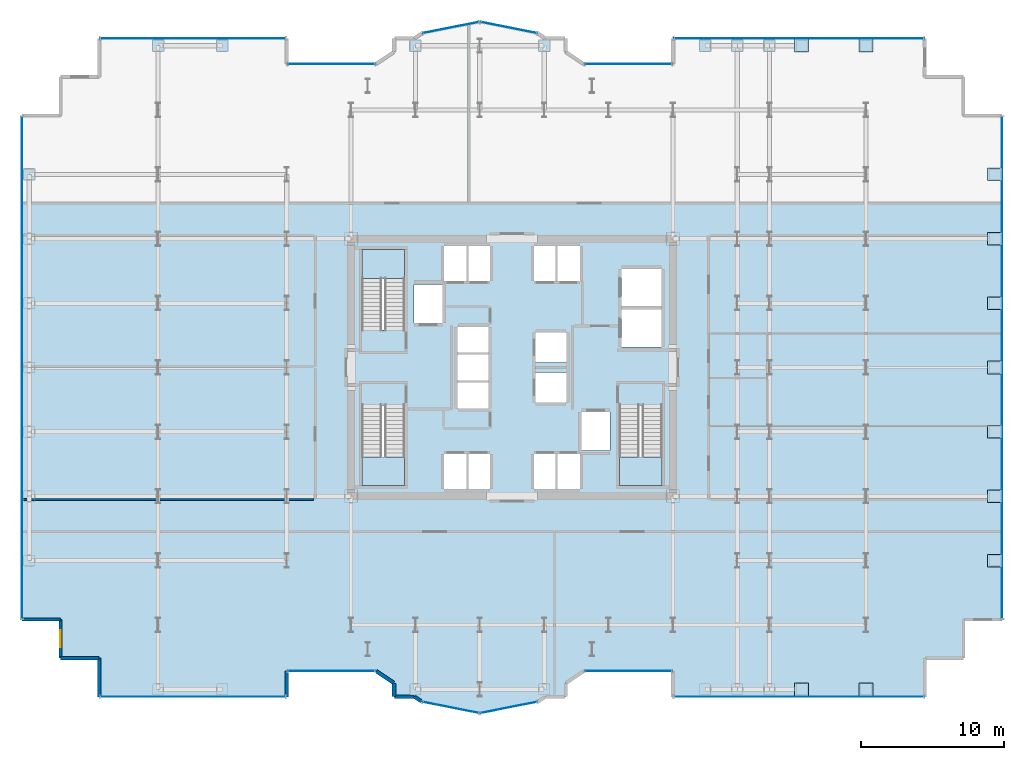
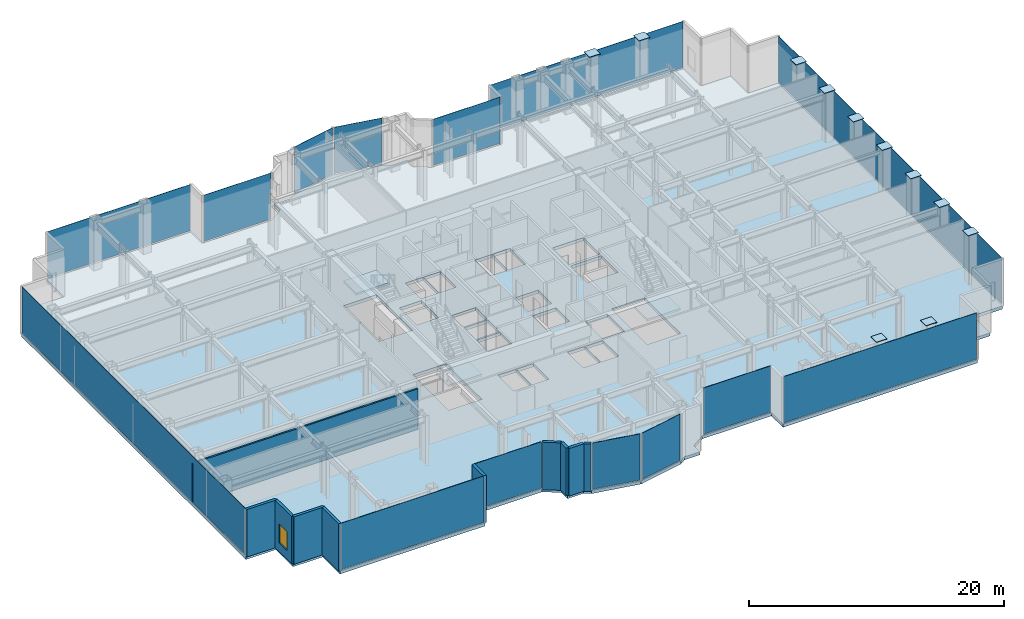
# One storey, part 19 of 27: 25 plates, 10 walls, 4 slabs, 1 window, 1 opening, 17 elements without a shape of their own.
"""IFC4 building model written with IfcOpenShell, lengths in metres."""

from ifc_helpers import new_model, si_unit, direction, frame, frame_2d, origin, origin_2d, place, context, subcontext, project, spatial, polyline, rectangle, outline, extrude, source, transform, mapped, material, layer, layer_set, type_object, element, fill, aggregate, save


model = new_model("IFC4")

# Units and contexts
model_context = context("Model", 3, precision=1e-05, world=origin(), true_north=direction((0.0, 1.0)))
body_context = subcontext(model_context, "Body", "Model", "MODEL_VIEW")
ifc_project = project(units=[si_unit("LENGTHUNIT", "METRE"), si_unit("AREAUNIT", "SQUARE_METRE"), si_unit("VOLUMEUNIT", "CUBIC_METRE"), si_unit("PLANEANGLEUNIT", "RADIAN"), si_unit("MASSUNIT", "GRAM", prefix="KILO")], contexts=[model_context])

# Site, building, storey
site_placement = place(None, origin())
site = spatial("IfcSite", under=ifc_project, at=site_placement, CompositionType="ELEMENT")
building_placement = place(site_placement, origin())
building = spatial("IfcBuilding", under=site, at=building_placement, Name="Nefas-Gora Pilgrimage Tower", CompositionType="ELEMENT")
storey_placement = place(building_placement, frame((0.0, 0.0, 144.0)))
storey = spatial("IfcBuildingStorey", under=building, at=storey_placement, Name="L35", CompositionType="ELEMENT", Elevation=144.0)

# Slab
ifc_material_1 = material(Name="Concrete C45/55", Category="concrete")
ifc_layer_1 = layer(ifc_material_1, 0.300048828125)
ifc_layer_set_1 = layer_set([ifc_layer_1], Name="Concrete C45/55")
slab_type_1 = type_object("IfcSlabType", Name="SLB-SPEC-300", PredefinedType="FLOOR", material=ifc_layer_set_1)
slab_1_placement = place(storey_placement, frame((0.0, 0.0, -0.300048828125)))
element("IfcSlab", 1, at=slab_1_placement, inside=storey, type_object=slab_type_1, Name="L35 Structural Floor Slab", PredefinedType="FLOOR", context=body_context, shape_type="SweptSolid", body=[
    extrude(outline(polyline([(5.01806640625, -21.219970703125), (11.25, -21.219970703125), (11.25, -23.02001953125), (28.8701171875, -23.02001953125), (28.8701171875, -20.320068359375), (31.570068359375, -20.320068359375), (31.570068359375, -17.6201171875), (34.27001953125, -17.6201171875), (34.27001953125, 17.6201171875), (31.570068359375, 17.6201171875), (31.570068359375, 20.320068359375), (28.8701171875, 20.320068359375), (28.8701171875, 23.02001953125), (11.25, 23.02001953125), (11.25, 21.219970703125), (5.01806640625, 21.219970703125), (3.75, 22.0673828125), (3.75, 23.02001953125), (2.32421875, 23.02001953125), (1.807373046875, 23.365234375), (-2.25, 24.17236328125), (-6.307373046875, 23.365234375), (-6.82421875, 23.02001953125), (-8.25, 23.02001953125), (-8.25, 22.0673828125), (-9.51806640625, 21.219970703125), (-15.75, 21.219970703125), (-15.75, 23.02001953125), (-28.8701171875, 23.02001953125), (-28.8701171875, 20.320068359375), (-31.570068359375, 20.320068359375), (-31.570068359375, 17.6201171875), (-34.27001953125, 17.6201171875), (-34.27001953125, -17.6201171875), (-31.570068359375, -17.6201171875), (-31.570068359375, -20.320068359375), (-28.8701171875, -20.320068359375), (-28.8701171875, -23.02001953125), (-15.75, -23.02001953125), (-15.75, -21.219970703125), (-9.51806640625, -21.219970703125), (-8.25, -22.0673828125), (-8.25, -23.02001953125), (-6.82421875, -23.02001953125), (-6.307373046875, -23.365234375), (-2.25, -24.17236328125), (1.807373046875, -23.365234375), (2.32421875, -23.02001953125), (3.75, -23.02001953125), (3.75, -22.0673828125), (5.01806640625, -21.219970703125)]), holes=[polyline([(-10.5, 2.639892578125), (-10.5, 8.25), (-7.5, 8.25), (-7.5, 2.639892578125), (-10.5, 2.639892578125)]), polyline([(10.5, -2.639892578125), (10.5, -8.25), (7.5, -8.25), (7.5, -2.639892578125), (10.5, -2.639892578125)]), polyline([(-7.5, -2.639892578125), (-7.5, -8.25), (-10.5, -8.25), (-10.5, -2.639892578125), (-7.5, -2.639892578125)]), polyline([(-6.85009765625, 5.800048828125), (-4.85009765625, 5.800048828125), (-4.85009765625, 3.10009765625), (-6.85009765625, 3.10009765625), (-6.85009765625, 5.800048828125)]), polyline([(4.85009765625, -3.10009765625), (6.85009765625, -3.10009765625), (6.85009765625, -5.800048828125), (4.85009765625, -5.800048828125), (4.85009765625, -3.10009765625)]), polyline([(7.64990234375, 4.050048828125), (10.449951171875, 4.050048828125), (10.449951171875, 1.449951171875), (7.64990234375, 1.449951171875), (7.64990234375, 4.050048828125)]), polyline([(7.64990234375, 6.89990234375), (10.449951171875, 6.89990234375), (10.449951171875, 4.300048828125), (7.64990234375, 4.300048828125), (7.64990234375, 6.89990234375)]), polyline([(-4.75, 8.5), (-3.14990234375, 8.5), (-3.14990234375, 6.050048828125), (-4.75, 6.050048828125), (-4.75, 8.5)]), polyline([(-3.10009765625, 8.5), (-1.550048828125, 8.5), (-1.550048828125, 6.050048828125), (-3.10009765625, 6.050048828125), (-3.10009765625, 8.5)]), polyline([(1.550048828125, 8.5), (3.10009765625, 8.5), (3.10009765625, 6.050048828125), (1.550048828125, 6.050048828125), (1.550048828125, 8.5)]), polyline([(3.14990234375, 8.5), (4.75, 8.5), (4.75, 6.050048828125), (3.14990234375, 6.050048828125), (3.14990234375, 8.5)]), polyline([(-4.75, -6.050048828125), (-3.14990234375, -6.050048828125), (-3.14990234375, -8.5), (-4.75, -8.5), (-4.75, -6.050048828125)]), polyline([(-3.10009765625, -6.050048828125), (-1.550048828125, -6.050048828125), (-1.550048828125, -8.5), (-3.10009765625, -8.5), (-3.10009765625, -6.050048828125)]), polyline([(1.550048828125, -6.050048828125), (3.10009765625, -6.050048828125), (3.10009765625, -8.5), (1.550048828125, -8.5), (1.550048828125, -6.050048828125)]), polyline([(3.14990234375, -6.050048828125), (4.75, -6.050048828125), (4.75, -8.5), (3.14990234375, -8.5), (3.14990234375, -6.050048828125)]), polyline([(-3.800048828125, -1.050048828125), (-1.64990234375, -1.050048828125), (-1.64990234375, -2.85009765625), (-3.800048828125, -2.85009765625), (-3.800048828125, -1.050048828125)]), polyline([(-3.800048828125, 0.89990234375), (-1.64990234375, 0.89990234375), (-1.64990234375, -0.89990234375), (-3.800048828125, -0.89990234375), (-3.800048828125, 0.89990234375)]), polyline([(-3.800048828125, 2.85009765625), (-1.64990234375, 2.85009765625), (-1.64990234375, 1.050048828125), (-3.800048828125, 1.050048828125), (-3.800048828125, 2.85009765625)]), polyline([(1.64990234375, -0.35009765625), (3.800048828125, -0.35009765625), (3.800048828125, -2.449951171875), (1.64990234375, -2.449951171875), (1.64990234375, -0.35009765625)]), polyline([(1.64990234375, 2.449951171875), (3.800048828125, 2.449951171875), (3.800048828125, 0.35009765625), (1.64990234375, 0.35009765625), (1.64990234375, 2.449951171875)])]), origin(), (0.0, 0.0, 1.0), 0.300048828125),
])

# Stair, slab
stair_type = type_object("IfcStairType", Name="STR-1400-R1714", PredefinedType="HALF_TURN_STAIR", material=ifc_material_1)
stair_1_placement = place(storey_placement, origin())
stair_1 = element("IfcStair", 2, at=stair_1_placement, inside=storey, type_object=stair_type, Name="L35 Pressurised Tower Exit Stair ST-01", PredefinedType="HALF_TURN_STAIR")
ifc_material_2 = material(Name="Concrete C40/50", Category="concrete")
ifc_layer_2 = layer(ifc_material_2, 0.199951171875)
ifc_layer_set_2 = layer_set([ifc_layer_2], Name="Concrete C40/50")
slab_type_2 = type_object("IfcSlabType", Name="STR-LAND-200", PredefinedType="LANDING", material=ifc_layer_set_2)
slab_2_placement = place(storey_placement, frame((0.0, 0.0, 2.199951171875)))
slab_2 = element("IfcSlab", 3, at=slab_2_placement, type_object=slab_type_2, Name="ST-01 landing 1", PredefinedType="LANDING", context=body_context, shape_type="SweptSolid", body=[
    extrude(outline(polyline([(-7.5, 6.239990234375), (-7.5, 8.25), (-10.5, 8.25), (-10.5, 6.239990234375), (-7.5, 6.239990234375)])), origin(), (0.0, 0.0, 1.0), 0.199951171875),
])
aggregate(stair_1, [slab_2])

stair_2_placement = place(storey_placement, origin())
stair_2 = element("IfcStair", 4, at=stair_2_placement, inside=storey, type_object=stair_type, Name="L35 Pressurised Tower Exit Stair ST-02", PredefinedType="HALF_TURN_STAIR")
slab_3_placement = place(storey_placement, frame((0.0, 0.0, 2.199951171875)))
slab_3 = element("IfcSlab", 5, at=slab_3_placement, type_object=slab_type_2, Name="ST-02 landing 1", PredefinedType="LANDING", context=body_context, shape_type="SweptSolid", body=[
    extrude(outline(polyline([(7.5, -6.239990234375), (7.5, -8.25), (10.5, -8.25), (10.5, -6.239990234375), (7.5, -6.239990234375)])), origin(), (0.0, 0.0, 1.0), 0.199951171875),
])
aggregate(stair_2, [slab_3])

stair_3_placement = place(storey_placement, origin())
stair_3 = element("IfcStair", 6, at=stair_3_placement, inside=storey, type_object=stair_type, Name="L35 Pressurised Tower Exit Stair ST-03", PredefinedType="HALF_TURN_STAIR")
slab_4_placement = place(storey_placement, frame((0.0, 0.0, 2.199951171875)))
slab_4 = element("IfcSlab", 7, at=slab_4_placement, type_object=slab_type_2, Name="ST-03 landing 1", PredefinedType="LANDING", context=body_context, shape_type="SweptSolid", body=[
    extrude(outline(polyline([(-10.5, -6.239990234375), (-10.5, -8.25), (-7.5, -8.25), (-7.5, -6.239990234375), (-10.5, -6.239990234375)])), origin(), (0.0, 0.0, 1.0), 0.199951171875),
])
aggregate(stair_3, [slab_4])

# Plates
ifc_material_3 = material(Name="Steel S460", Category="steel")
ifc_layer_3 = layer(ifc_material_3, 0.0400390625)
ifc_layer_set_3 = layer_set([ifc_layer_3], Name="Steel S460")
plate_type_1 = type_object("IfcPlateType", Name="PLT-ENDCAP-40", PredefinedType="SHEET", material=ifc_layer_set_3)
shared_shape_1 = source(origin(), body_context, "Body", "SweptSolid", [
    extrude(rectangle(XDim=0.97607421875, YDim=0.8798828125, at=origin_2d()), origin(), (0.0, 0.0, 1.0), 0.050048828125),
])
for number, where, z_axis, x_axis, name in (
    (8, (20.25, -22.5, 4.77490234375), (0.0, 0.0, 1.0), (1.0, 0.0, 0.0), "L35 Setback Hollow Column Top Cap Plate 21"),
    (9, (20.25, 22.5, 4.77490234375), (0.0, 0.0, 1.0), (1.0, 0.0, 0.0), "L35 Setback Hollow Column Top Cap Plate 22"),
    (10, (24.75, -22.5, 4.77490234375), (0.0, 0.0, 1.0), (1.0, 0.0, 0.0), "L35 Setback Hollow Column Top Cap Plate 23"),
    (11, (24.75, 22.5, 4.77490234375), (0.0, 0.0, 1.0), (1.0, 0.0, 0.0), "L35 Setback Hollow Column Top Cap Plate 24"),
    (12, (33.75, -13.5, 4.77490234375), (0.0, 0.0, 1.0), (1.0, 0.0, 0.0), "L35 Setback Hollow Column Top Cap Plate 25"),
    (13, (33.75, -9.0, 4.77490234375), (0.0, 0.0, 1.0), (1.0, 0.0, 0.0), "L35 Setback Hollow Column Top Cap Plate 26"),
    (14, (33.75, -4.5, 4.77490234375), (0.0, 0.0, 1.0), (1.0, 0.0, 0.0), "L35 Setback Hollow Column Top Cap Plate 27"),
    (15, (33.75, 0.0, 4.77490234375), (0.0, 0.0, 1.0), (1.0, 0.0, 0.0), "L35 Setback Hollow Column Top Cap Plate 28"),
    (16, (33.75, 4.5, 4.77490234375), (0.0, 0.0, 1.0), (1.0, 0.0, 0.0), "L35 Setback Hollow Column Top Cap Plate 29"),
    (17, (33.75, 9.0, 4.77490234375), (0.0, 0.0, 1.0), (1.0, 0.0, 0.0), "L35 Setback Hollow Column Top Cap Plate 30"),
    (18, (33.75, 13.5, 4.77490234375), (0.0, 0.0, 1.0), (1.0, 0.0, 0.0), "L35 Setback Hollow Column Top Cap Plate 31"),
):
    element("IfcPlate", number, at=place(storey_placement, frame(where, z_axis=z_axis, x_axis=x_axis)), inside=storey, type_object=plate_type_1, Name=name, PredefinedType="SHEET", context=body_context, shape_type="MappedRepresentation", body=[
        mapped(shared_shape_1, transform((0.0, 0.0, 0.0), x_axis=(1.0, 0.0, 0.0), y_axis=(0.0, 1.0, 0.0), z_axis=(0.0, 0.0, 1.0), scale=1.0)),
    ])

# Curtain wall, plate
ifc_material_4 = material(Name="Dark ceramic-fritted solar-control aluminium-glass curtain wall", Category="aluminium")
ifc_layer_4 = layer(ifc_material_4, 0.219970703125)
ifc_layer_set_4 = layer_set([ifc_layer_4], Name="Dark ceramic-fritted solar-control aluminium-glass curtain wall")
curtain_wall_type_1 = type_object("IfcCurtainWallType", Name="CW-SYS-5", PredefinedType="NOTDEFINED", material=ifc_layer_set_4)
curtain_wall_1_placement = place(storey_placement, origin())
curtain_wall_1 = element("IfcCurtainWall", 19, at=curtain_wall_1_placement, inside=storey, type_object=curtain_wall_type_1, Name="L35 Unitised Curtain Wall CW5", PredefinedType="NOTDEFINED")
ifc_material_5 = material(Name="Dark ceramic-printed low-e insulated glass", Category="glass")
ifc_layer_5 = layer(ifc_material_5, 0.028076171875)
ifc_layer_set_5 = layer_set([ifc_layer_5], Name="Dark ceramic-printed low-e insulated glass")
plate_type_2 = type_object("IfcPlateType", Name="CWP-PNL-5", PredefinedType="CURTAIN_PANEL", material=ifc_layer_set_5)
shared_shape_2 = source(origin(), body_context, "Body", "SweptSolid", [
    extrude(rectangle(XDim=6.052001953125, YDim=0.028076171875, at=origin_2d()), origin(), (0.0, 0.0, 1.0), 4.43994140625),
])
plate_1_placement = place(storey_placement, frame((8.134033203125, -21.219970703125, 0.10009765625), z_axis=(0.0, 0.0, 1.0), x_axis=(1.0, 0.0, 0.0)))
plate_1 = element("IfcPlate", 20, at=plate_1_placement, type_object=plate_type_2, Name="CW5 Ceramic-Fritted Glazing Panel 1", PredefinedType="CURTAIN_PANEL", context=body_context, shape_type="MappedRepresentation", body=[
    mapped(shared_shape_2, transform((0.0, 0.0, 0.0), x_axis=(1.0, 0.0, 0.0), y_axis=(0.0, 1.0, 0.0), z_axis=(0.0, 0.0, 1.0), scale=1.0)),
])
aggregate(curtain_wall_1, [plate_1])

curtain_wall_2_placement = place(storey_placement, origin())
curtain_wall_2 = element("IfcCurtainWall", 21, at=curtain_wall_2_placement, inside=storey, type_object=curtain_wall_type_1, Name="L35 Unitised Curtain Wall CW5", PredefinedType="NOTDEFINED")
plate_2_placement = place(storey_placement, frame((8.134033203125, 21.219970703125, 0.10009765625), z_axis=(0.0, 0.0, 1.0), x_axis=(-1.0, 0.0, 0.0)))
plate_2 = element("IfcPlate", 22, at=plate_2_placement, type_object=plate_type_2, Name="CW5 Ceramic-Fritted Glazing Panel 1", PredefinedType="CURTAIN_PANEL", context=body_context, shape_type="MappedRepresentation", body=[
    mapped(shared_shape_2, transform((0.0, 0.0, 0.0), x_axis=(1.0, 0.0, 0.0), y_axis=(0.0, 1.0, 0.0), z_axis=(0.0, 0.0, 1.0), scale=1.0)),
])
aggregate(curtain_wall_2, [plate_2])

curtain_wall_3_placement = place(storey_placement, origin())
curtain_wall_3 = element("IfcCurtainWall", 23, at=curtain_wall_3_placement, inside=storey, type_object=curtain_wall_type_1, Name="L35 Unitised Curtain Wall CW5", PredefinedType="NOTDEFINED")
plate_3_placement = place(storey_placement, frame((-12.634033203125, 21.219970703125, 0.10009765625), z_axis=(0.0, 0.0, 1.0), x_axis=(-1.0, 0.0, 0.0)))
plate_3 = element("IfcPlate", 24, at=plate_3_placement, type_object=plate_type_2, Name="CW5 Ceramic-Fritted Glazing Panel 1", PredefinedType="CURTAIN_PANEL", context=body_context, shape_type="MappedRepresentation", body=[
    mapped(shared_shape_2, transform((0.0, 0.0, 0.0), x_axis=(1.0, 0.0, 0.0), y_axis=(0.0, 1.0, 0.0), z_axis=(0.0, 0.0, 1.0), scale=1.0)),
])
aggregate(curtain_wall_3, [plate_3])

curtain_wall_4_placement = place(storey_placement, origin())
curtain_wall_4 = element("IfcCurtainWall", 25, at=curtain_wall_4_placement, inside=storey, type_object=curtain_wall_type_1, Name="L35 Unitised Curtain Wall CW5", PredefinedType="NOTDEFINED")
plate_4_placement = place(storey_placement, frame((-12.634033203125, -21.219970703125, 0.10009765625), z_axis=(0.0, 0.0, 1.0), x_axis=(1.0, 0.0, 0.0)))
plate_4 = element("IfcPlate", 26, at=plate_4_placement, type_object=plate_type_2, Name="CW5 Ceramic-Fritted Glazing Panel 1", PredefinedType="CURTAIN_PANEL", context=body_context, shape_type="MappedRepresentation", body=[
    mapped(shared_shape_2, transform((0.0, 0.0, 0.0), x_axis=(1.0, 0.0, 0.0), y_axis=(0.0, 1.0, 0.0), z_axis=(0.0, 0.0, 1.0), scale=1.0)),
])
aggregate(curtain_wall_4, [plate_4])

ifc_layer_6 = layer(ifc_material_4, 0.219970703125)
ifc_layer_set_6 = layer_set([ifc_layer_6], Name="Dark ceramic-fritted solar-control aluminium-glass curtain wall")
curtain_wall_type_2 = type_object("IfcCurtainWallType", Name="CW-SYS-2", PredefinedType="NOTDEFINED", material=ifc_layer_set_6)
curtain_wall_5_placement = place(storey_placement, origin())
curtain_wall_5 = element("IfcCurtainWall", 27, at=curtain_wall_5_placement, inside=storey, type_object=curtain_wall_type_2, Name="L35 Unitised Curtain Wall CW2", PredefinedType="NOTDEFINED")
ifc_layer_7 = layer(ifc_material_5, 0.031982421875)
ifc_layer_set_7 = layer_set([ifc_layer_7], Name="Dark ceramic-printed low-e insulated glass")
plate_type_3 = type_object("IfcPlateType", Name="CWP-PNL-2", PredefinedType="CURTAIN_PANEL", material=ifc_layer_set_7)
shared_shape_3 = source(origin(), body_context, "Body", "SweptSolid", [
    extrude(rectangle(XDim=17.43994140625, YDim=0.031982421875, at=origin_2d()), origin(), (0.0, 0.0, 1.0), 4.43994140625),
])
plate_5_placement = place(storey_placement, frame((20.06005859375, -23.02001953125, 0.10009765625), z_axis=(0.0, 0.0, 1.0), x_axis=(1.0, 0.0, 0.0)))
plate_5 = element("IfcPlate", 28, at=plate_5_placement, type_object=plate_type_3, Name="CW2 Ceramic-Fritted Glazing Panel 1", PredefinedType="CURTAIN_PANEL", context=body_context, shape_type="MappedRepresentation", body=[
    mapped(shared_shape_3, transform((0.0, 0.0, 0.0), x_axis=(1.0, 0.0, 0.0), y_axis=(0.0, 1.0, 0.0), z_axis=(0.0, 0.0, 1.0), scale=1.0)),
])
aggregate(curtain_wall_5, [plate_5])

curtain_wall_6_placement = place(storey_placement, origin())
curtain_wall_6 = element("IfcCurtainWall", 29, at=curtain_wall_6_placement, inside=storey, type_object=curtain_wall_type_2, Name="L35 Unitised Curtain Wall CW2", PredefinedType="NOTDEFINED")
plate_6_placement = place(storey_placement, frame((20.06005859375, 23.02001953125, 0.10009765625), z_axis=(0.0, 0.0, 1.0), x_axis=(-1.0, 0.0, 0.0)))
plate_6 = element("IfcPlate", 30, at=plate_6_placement, type_object=plate_type_3, Name="CW2 Ceramic-Fritted Glazing Panel 1", PredefinedType="CURTAIN_PANEL", context=body_context, shape_type="MappedRepresentation", body=[
    mapped(shared_shape_3, transform((0.0, 0.0, 0.0), x_axis=(1.0, 0.0, 0.0), y_axis=(0.0, 1.0, 0.0), z_axis=(0.0, 0.0, 1.0), scale=1.0)),
])
aggregate(curtain_wall_6, [plate_6])

curtain_wall_7_placement = place(storey_placement, origin())
curtain_wall_7 = element("IfcCurtainWall", 31, at=curtain_wall_7_placement, inside=storey, type_object=curtain_wall_type_2, Name="L35 Unitised Curtain Wall CW2", PredefinedType="NOTDEFINED")
shared_shape_4 = source(origin(), body_context, "Body", "SweptSolid", [
    extrude(rectangle(XDim=35.06005859375, YDim=0.031982421875, at=origin_2d()), origin(), (0.0, 0.0, 1.0), 4.43994140625),
])
plate_7_placement = place(storey_placement, frame((34.27001953125, 0.0, 0.10009765625), z_axis=(0.0, 0.0, 1.0), x_axis=(0.0, 1.0, 0.0)))
plate_7 = element("IfcPlate", 32, at=plate_7_placement, type_object=plate_type_3, Name="CW2 Ceramic-Fritted Glazing Panel 1", PredefinedType="CURTAIN_PANEL", context=body_context, shape_type="MappedRepresentation", body=[
    mapped(shared_shape_4, transform((0.0, 0.0, 0.0), x_axis=(1.0, 0.0, 0.0), y_axis=(0.0, 1.0, 0.0), z_axis=(0.0, 0.0, 1.0), scale=1.0)),
])
aggregate(curtain_wall_7, [plate_7])

curtain_wall_8_placement = place(storey_placement, origin())
curtain_wall_8 = element("IfcCurtainWall", 33, at=curtain_wall_8_placement, inside=storey, type_object=curtain_wall_type_2, Name="L35 Unitised Curtain Wall CW2", PredefinedType="NOTDEFINED")
plate_8_placement = place(storey_placement, frame((-34.27001953125, 0.0, 0.10009765625), z_axis=(0.0, 0.0, 1.0), x_axis=(0.0, -1.0, 0.0)))
plate_8 = element("IfcPlate", 34, at=plate_8_placement, type_object=plate_type_3, Name="CW2 Ceramic-Fritted Glazing Panel 1", PredefinedType="CURTAIN_PANEL", context=body_context, shape_type="MappedRepresentation", body=[
    mapped(shared_shape_4, transform((0.0, 0.0, 0.0), x_axis=(1.0, 0.0, 0.0), y_axis=(0.0, 1.0, 0.0), z_axis=(0.0, 0.0, 1.0), scale=1.0)),
])
aggregate(curtain_wall_8, [plate_8])

curtain_wall_9_placement = place(storey_placement, origin())
curtain_wall_9 = element("IfcCurtainWall", 35, at=curtain_wall_9_placement, inside=storey, type_object=curtain_wall_type_1, Name="L35 Unitised Curtain Wall CW5", PredefinedType="NOTDEFINED")
shared_shape_5 = source(origin(), body_context, "Body", "SweptSolid", [
    extrude(rectangle(XDim=3.956787109375, YDim=0.028076171875, at=origin_2d()), origin(), (0.0, 0.0, 1.0), 4.43994140625),
])
plate_9_placement = place(storey_placement, frame((-0.22119140625, 23.768798828125, 0.10009765625), z_axis=(0.0, 0.0, 1.0), x_axis=(-0.980782896852, 0.195102304554, 0.0)))
plate_9 = element("IfcPlate", 36, at=plate_9_placement, type_object=plate_type_2, Name="CW5 Ceramic-Fritted Glazing Panel 1", PredefinedType="CURTAIN_PANEL", context=body_context, shape_type="MappedRepresentation", body=[
    mapped(shared_shape_5, transform((0.0, 0.0, 0.0), x_axis=(1.0, 0.0, 0.0), y_axis=(0.0, 1.0, 0.0), z_axis=(0.0, 0.0, 1.0), scale=1.0)),
])
aggregate(curtain_wall_9, [plate_9])

curtain_wall_10_placement = place(storey_placement, origin())
curtain_wall_10 = element("IfcCurtainWall", 37, at=curtain_wall_10_placement, inside=storey, type_object=curtain_wall_type_1, Name="L35 Unitised Curtain Wall CW5", PredefinedType="NOTDEFINED")
plate_10_placement = place(storey_placement, frame((-4.278564453125, 23.768798828125, 0.10009765625), z_axis=(0.0, 0.0, 1.0), x_axis=(-0.980782896852, -0.195102304554, 0.0)))
plate_10 = element("IfcPlate", 38, at=plate_10_placement, type_object=plate_type_2, Name="CW5 Ceramic-Fritted Glazing Panel 1", PredefinedType="CURTAIN_PANEL", context=body_context, shape_type="MappedRepresentation", body=[
    mapped(shared_shape_5, transform((0.0, 0.0, 0.0), x_axis=(1.0, 0.0, 0.0), y_axis=(0.0, 1.0, 0.0), z_axis=(0.0, 0.0, 1.0), scale=1.0)),
])
aggregate(curtain_wall_10, [plate_10])

curtain_wall_11_placement = place(storey_placement, origin())
curtain_wall_11 = element("IfcCurtainWall", 39, at=curtain_wall_11_placement, inside=storey, type_object=curtain_wall_type_1, Name="L35 Unitised Curtain Wall CW5", PredefinedType="NOTDEFINED")
plate_11_placement = place(storey_placement, frame((-4.278564453125, -23.768798828125, 0.10009765625), z_axis=(0.0, 0.0, 1.0), x_axis=(0.980782896852, -0.195102304554, 0.0)))
plate_11 = element("IfcPlate", 40, at=plate_11_placement, type_object=plate_type_2, Name="CW5 Ceramic-Fritted Glazing Panel 1", PredefinedType="CURTAIN_PANEL", context=body_context, shape_type="MappedRepresentation", body=[
    mapped(shared_shape_5, transform((0.0, 0.0, 0.0), x_axis=(1.0, 0.0, 0.0), y_axis=(0.0, 1.0, 0.0), z_axis=(0.0, 0.0, 1.0), scale=1.0)),
])
aggregate(curtain_wall_11, [plate_11])

curtain_wall_12_placement = place(storey_placement, origin())
curtain_wall_12 = element("IfcCurtainWall", 41, at=curtain_wall_12_placement, inside=storey, type_object=curtain_wall_type_1, Name="L35 Unitised Curtain Wall CW5", PredefinedType="NOTDEFINED")
plate_12_placement = place(storey_placement, frame((-0.221435546875, -23.768798828125, 0.10009765625), z_axis=(0.0, 0.0, 1.0), x_axis=(0.980782896852, 0.195102304554, 0.0)))
plate_12 = element("IfcPlate", 42, at=plate_12_placement, type_object=plate_type_2, Name="CW5 Ceramic-Fritted Glazing Panel 1", PredefinedType="CURTAIN_PANEL", context=body_context, shape_type="MappedRepresentation", body=[
    mapped(shared_shape_5, transform((0.0, 0.0, 0.0), x_axis=(1.0, 0.0, 0.0), y_axis=(0.0, 1.0, 0.0), z_axis=(0.0, 0.0, 1.0), scale=1.0)),
])
aggregate(curtain_wall_12, [plate_12])

curtain_wall_13_placement = place(storey_placement, origin())
curtain_wall_13 = element("IfcCurtainWall", 43, at=curtain_wall_13_placement, inside=storey, type_object=curtain_wall_type_2, Name="L35 Unitised Curtain Wall CW2", PredefinedType="NOTDEFINED")
shared_shape_6 = source(origin(), body_context, "Body", "SweptSolid", [
    extrude(rectangle(XDim=12.93994140625, YDim=0.031982421875, at=origin_2d()), origin(), (0.0, 0.0, 1.0), 4.43994140625),
])
plate_13_placement = place(storey_placement, frame((-22.31005859375, 23.02001953125, 0.10009765625), z_axis=(0.0, 0.0, 1.0), x_axis=(-1.0, 0.0, 0.0)))
plate_13 = element("IfcPlate", 44, at=plate_13_placement, type_object=plate_type_3, Name="CW2 Ceramic-Fritted Glazing Panel 1", PredefinedType="CURTAIN_PANEL", context=body_context, shape_type="MappedRepresentation", body=[
    mapped(shared_shape_6, transform((0.0, 0.0, 0.0), x_axis=(1.0, 0.0, 0.0), y_axis=(0.0, 1.0, 0.0), z_axis=(0.0, 0.0, 1.0), scale=1.0)),
])
aggregate(curtain_wall_13, [plate_13])

curtain_wall_14_placement = place(storey_placement, origin())
curtain_wall_14 = element("IfcCurtainWall", 45, at=curtain_wall_14_placement, inside=storey, type_object=curtain_wall_type_2, Name="L35 Unitised Curtain Wall CW2", PredefinedType="NOTDEFINED")
plate_14_placement = place(storey_placement, frame((-22.31005859375, -23.02001953125, 0.10009765625), z_axis=(0.0, 0.0, 1.0), x_axis=(1.0, 0.0, 0.0)))
plate_14 = element("IfcPlate", 46, at=plate_14_placement, type_object=plate_type_3, Name="CW2 Ceramic-Fritted Glazing Panel 1", PredefinedType="CURTAIN_PANEL", context=body_context, shape_type="MappedRepresentation", body=[
    mapped(shared_shape_6, transform((0.0, 0.0, 0.0), x_axis=(1.0, 0.0, 0.0), y_axis=(0.0, 1.0, 0.0), z_axis=(0.0, 0.0, 1.0), scale=1.0)),
])
aggregate(curtain_wall_14, [plate_14])

# Walls
ifc_material_6 = material(Name="Precast concrete C40/50", Category="concrete")
ifc_layer_8 = layer(ifc_material_6, 0.260009765625)
ifc_layer_set_8 = layer_set([ifc_layer_8], Name="Precast concrete C40/50")
wall_type_1 = type_object("IfcWallType", Name="EW-PORTAL-260", PredefinedType="SOLIDWALL", material=ifc_layer_set_8)
shared_shape_7 = source(origin(), body_context, "Body", "SweptSolid", [
    extrude(rectangle(XDim=1.800048828125, YDim=0.260009765625, at=frame_2d((0.89990234375, 0.0))), origin(), (0.0, 0.0, 1.0), 4.550048828125),
])
wall_1_placement = place(storey_placement, frame((-15.75, -23.02001953125, 0.0), z_axis=(0.0, 0.0, 1.0), x_axis=(0.0, 1.0, 0.0)))
element("IfcWall", 47, at=wall_1_placement, inside=storey, type_object=wall_type_1, Name="L35 Lobe Shoulder Precast Spandrel Pier 28", PredefinedType="SOLIDWALL", context=body_context, shape_type="MappedRepresentation", body=[
    mapped(shared_shape_7, transform((0.0, 0.0, 0.0), x_axis=(1.0, 0.0, 0.0), y_axis=(0.0, 1.0, 0.0), z_axis=(0.0, 0.0, 1.0), scale=1.0)),
])
ifc_material_7 = material(Name="Precast concrete C45/55", Category="concrete")
ifc_layer_9 = layer(ifc_material_7, 0.239990234375)
ifc_layer_set_9 = layer_set([ifc_layer_9], Name="Precast concrete C45/55")
wall_type_2 = type_object("IfcWallType", Name="EW-SERR-240", PredefinedType="SHEAR", material=ifc_layer_set_9)
shared_shape_8 = source(origin(), body_context, "Body", "SweptSolid", [
    extrude(rectangle(XDim=2.699951171875, YDim=0.239990234375, at=frame_2d((1.35009765625, 0.0))), origin(), (0.0, 0.0, 1.0), 4.550048828125),
])
wall_2_placement = place(storey_placement, frame((-34.27001953125, -17.6201171875, 0.0), z_axis=(0.0, 0.0, 1.0), x_axis=(1.0, 0.0, 0.0)))
element("IfcWall", 48, at=wall_2_placement, inside=storey, type_object=wall_type_2, Name="L35 Serrated Corner Shear Pier Wall 24", PredefinedType="SHEAR", context=body_context, shape_type="MappedRepresentation", body=[
    mapped(shared_shape_8, transform((0.0, 0.0, 0.0), x_axis=(1.0, 0.0, 0.0), y_axis=(0.0, 1.0, 0.0), z_axis=(0.0, 0.0, 1.0), scale=1.0)),
])

# Wall, opening, window
wall_3_placement = place(storey_placement, frame((-31.570068359375, -17.6201171875, 0.0), z_axis=(0.0, 0.0, 1.0), x_axis=(0.0, -1.0, 0.0)))
wall_3 = element("IfcWall", 49, at=wall_3_placement, inside=storey, type_object=wall_type_2, Name="L35 Serrated Corner Shear Pier Wall 25", PredefinedType="SHEAR", context=body_context, shape_type="MappedRepresentation", body=[
    mapped(shared_shape_8, transform((0.0, 0.0, 0.0), x_axis=(1.0, 0.0, 0.0), y_axis=(0.0, 1.0, 0.0), z_axis=(0.0, 0.0, 1.0), scale=1.0)),
])
opening_placement = place(wall_3_placement, frame((0.75, 0.0, 0.85009765625)))
opening = element("IfcOpeningElement", 50, at=opening_placement, cuts=wall_3, Name="Opening W-V1", PredefinedType="OPENING", context=body_context, shape_type="SweptSolid", body=[
    extrude(rectangle(XDim=1.199951171875, YDim=1.800048828125, at=frame_2d((0.60009765625, 0.89990234375))), frame((0.0, 0.1298828125, 0.0), z_axis=(0.0, -1.0, 0.0), x_axis=(1.0, 0.0, 0.0)), (0.0, 0.0, 1.0), 0.260009765625),
])
ifc_material_8 = material(Name="Dark ceramic-fritted operable aluminium-glass window", Category="aluminium")
window_type = type_object("IfcWindowType", Name="WIN-VENT-1200x1800", PartitioningType="SINGLE_PANEL", PredefinedType="WINDOW", material=ifc_material_8)
shared_shape_9 = source(origin(), body_context, "Body", "SweptSolid", [
    extrude(rectangle(XDim=1.199951171875, YDim=1.800048828125, at=frame_2d((0.60009765625, 0.89990234375))), frame((0.0, 0.030029296875, 0.0), z_axis=(0.0, -1.0, 0.0), x_axis=(1.0, 0.0, 0.0)), (0.0, 0.0, 1.0), 0.06005859375),
])
window_placement = place(opening_placement, origin())
window = element("IfcWindow", 51, at=window_placement, inside=storey, type_object=window_type, Name="L35 Operable Parallel-Outswing Window 25", OverallHeight=1.800048828125, OverallWidth=1.199951171875, PartitioningType="SINGLE_PANEL", PredefinedType="WINDOW", context=body_context, shape_type="MappedRepresentation", body=[
    mapped(shared_shape_9, transform((0.0, 0.0, 0.0), x_axis=(1.0, 0.0, 0.0), y_axis=(0.0, 1.0, 0.0), z_axis=(0.0, 0.0, 1.0), scale=1.0)),
])
fill(opening, window)

# Walls
for number, where, z_axis, x_axis, name in (
    (52, (-31.570068359375, -20.320068359375, 0.0), (0.0, 0.0, 1.0), (1.0, 0.0, 0.0), "L35 Serrated Corner Shear Pier Wall 26"),
    (53, (-28.8701171875, -20.320068359375, 0.0), (0.0, 0.0, 1.0), (0.0, -1.0, 0.0), "L35 Serrated Corner Shear Pier Wall 27"),
):
    element("IfcWall", number, at=place(storey_placement, frame(where, z_axis=z_axis, x_axis=x_axis)), inside=storey, type_object=wall_type_2, Name=name, PredefinedType="SHEAR", context=body_context, shape_type="MappedRepresentation", body=[
        mapped(shared_shape_8, transform((0.0, 0.0, 0.0), x_axis=(1.0, 0.0, 0.0), y_axis=(0.0, 1.0, 0.0), z_axis=(0.0, 0.0, 1.0), scale=1.0)),
    ])
shared_shape_10 = source(origin(), body_context, "Body", "SweptSolid", [
    extrude(rectangle(XDim=1.468994140625, YDim=0.260009765625, at=frame_2d((0.734375, 0.0))), origin(), (0.0, 0.0, 1.0), 4.550048828125),
])
wall_4_placement = place(storey_placement, frame((-9.49462890625, -21.235595703125, 0.0), z_axis=(0.0, 0.0, 1.0), x_axis=(0.831461760506, -0.555581983884, 0.0)))
element("IfcWall", 54, at=wall_4_placement, inside=storey, type_object=wall_type_1, Name="L35 Lobe Shoulder Precast Spandrel Pier 29", PredefinedType="SOLIDWALL", context=body_context, shape_type="MappedRepresentation", body=[
    mapped(shared_shape_10, transform((0.0, 0.0, 0.0), x_axis=(1.0, 0.0, 0.0), y_axis=(0.0, 1.0, 0.0), z_axis=(0.0, 0.0, 1.0), scale=1.0)),
])
shared_shape_11 = source(origin(), body_context, "Body", "SweptSolid", [
    extrude(rectangle(XDim=0.896728515625, YDim=0.260009765625, at=frame_2d((0.4482421875, 0.0))), origin(), (0.0, 0.0, 1.0), 4.550048828125),
])
wall_5_placement = place(storey_placement, frame((-8.25, -22.09521484375, 0.0), z_axis=(0.0, 0.0, 1.0), x_axis=(0.0, -1.0, 0.0)))
element("IfcWall", 55, at=wall_5_placement, inside=storey, type_object=wall_type_1, Name="L35 Lobe Shoulder Precast Spandrel Pier 30", PredefinedType="SOLIDWALL", context=body_context, shape_type="MappedRepresentation", body=[
    mapped(shared_shape_11, transform((0.0, 0.0, 0.0), x_axis=(1.0, 0.0, 0.0), y_axis=(0.0, 1.0, 0.0), z_axis=(0.0, 0.0, 1.0), scale=1.0)),
])
shared_shape_12 = source(origin(), body_context, "Body", "SweptSolid", [
    extrude(rectangle(XDim=1.369873046875, YDim=0.260009765625, at=frame_2d((0.68505859375, 0.0))), origin(), (0.0, 0.0, 1.0), 4.550048828125),
])
wall_6_placement = place(storey_placement, frame((-8.221923828125, -23.02001953125, 0.0), z_axis=(0.0, 0.0, 1.0), x_axis=(1.0, 0.0, 0.0)))
element("IfcWall", 56, at=wall_6_placement, inside=storey, type_object=wall_type_1, Name="L35 Lobe Shoulder Precast Spandrel Pier 31", PredefinedType="SOLIDWALL", context=body_context, shape_type="MappedRepresentation", body=[
    mapped(shared_shape_12, transform((0.0, 0.0, 0.0), x_axis=(1.0, 0.0, 0.0), y_axis=(0.0, 1.0, 0.0), z_axis=(0.0, 0.0, 1.0), scale=1.0)),
])
shared_shape_13 = source(origin(), body_context, "Body", "SweptSolid", [
    extrude(rectangle(XDim=0.5654296875, YDim=0.260009765625, at=frame_2d((0.28271484375, 0.0))), origin(), (0.0, 0.0, 1.0), 4.550048828125),
])
wall_7_placement = place(storey_placement, frame((-6.80078125, -23.03564453125, 0.0), z_axis=(0.0, 0.0, 1.0), x_axis=(0.831651492666, -0.555297933317, 0.0)))
element("IfcWall", 57, at=wall_7_placement, inside=storey, type_object=wall_type_1, Name="L35 Lobe Shoulder Precast Spandrel Pier 32", PredefinedType="SOLIDWALL", context=body_context, shape_type="MappedRepresentation", body=[
    mapped(shared_shape_13, transform((0.0, 0.0, 0.0), x_axis=(1.0, 0.0, 0.0), y_axis=(0.0, 1.0, 0.0), z_axis=(0.0, 0.0, 1.0), scale=1.0)),
])
ifc_material_9 = material(Name="Gypsum twin-stud partition")
ifc_layer_10 = layer(ifc_material_9, 0.139892578125)
ifc_layer_set_10 = layer_set([ifc_layer_10], Name="Gypsum twin-stud partition")
wall_type_3 = type_object("IfcWallType", Name="IW-UNIT-140", PredefinedType="PARTITIONING", material=ifc_layer_set_10)
shared_shape_14 = source(origin(), body_context, "Body", "SweptSolid", [
    extrude(rectangle(XDim=20.419921875, YDim=0.139892578125, at=frame_2d((10.2099609375, 0.0))), origin(), (0.0, 0.0, 1.0), 3.875),
])
wall_8_placement = place(storey_placement, frame((-34.2900390625, -9.22998046875, 0.0), z_axis=(0.0, 0.0, 1.0), x_axis=(1.0, 0.0, 0.0)))
element("IfcWall", 58, at=wall_8_placement, inside=storey, type_object=wall_type_3, Name="L35 Sky Lobby Pantry and Servery Partition Wall 31", PredefinedType="PARTITIONING", context=body_context, shape_type="MappedRepresentation", body=[
    mapped(shared_shape_14, transform((0.0, 0.0, 0.0), x_axis=(1.0, 0.0, 0.0), y_axis=(0.0, 1.0, 0.0), z_axis=(0.0, 0.0, 1.0), scale=1.0)),
])

save(model, "model.ifc")
